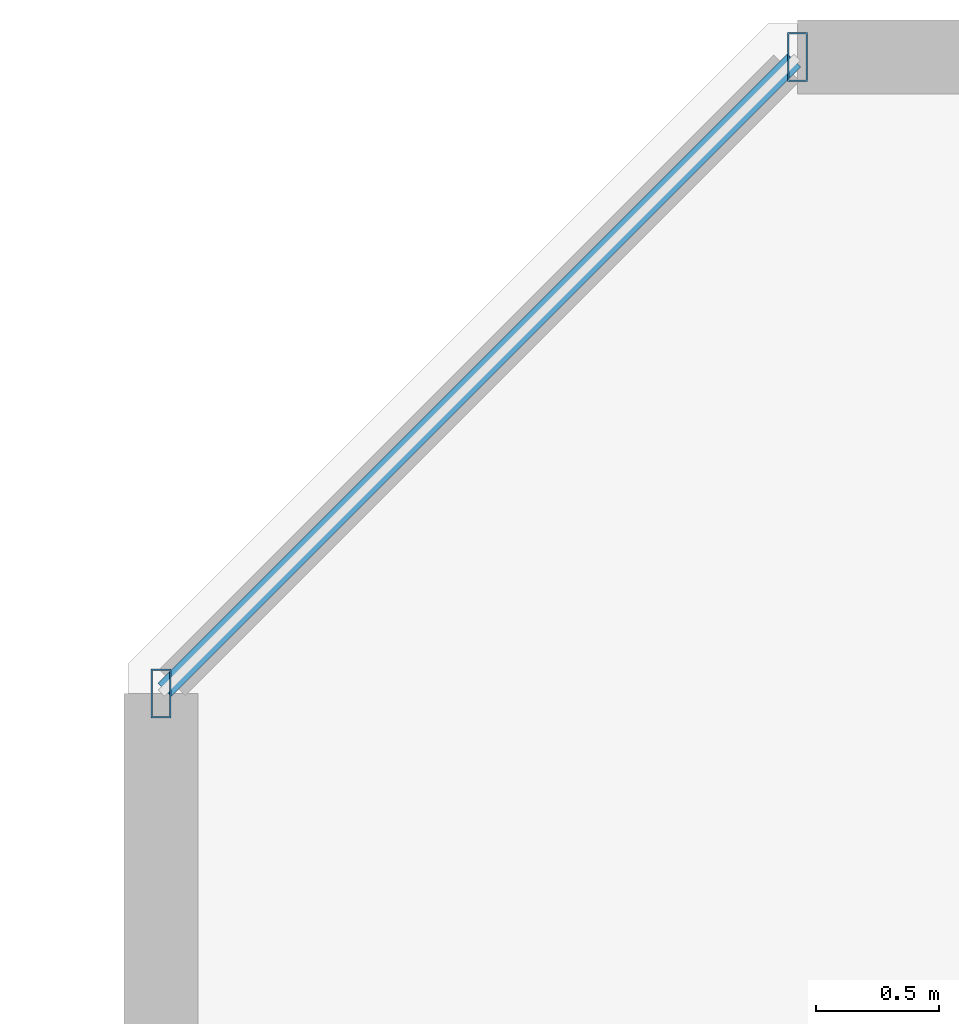
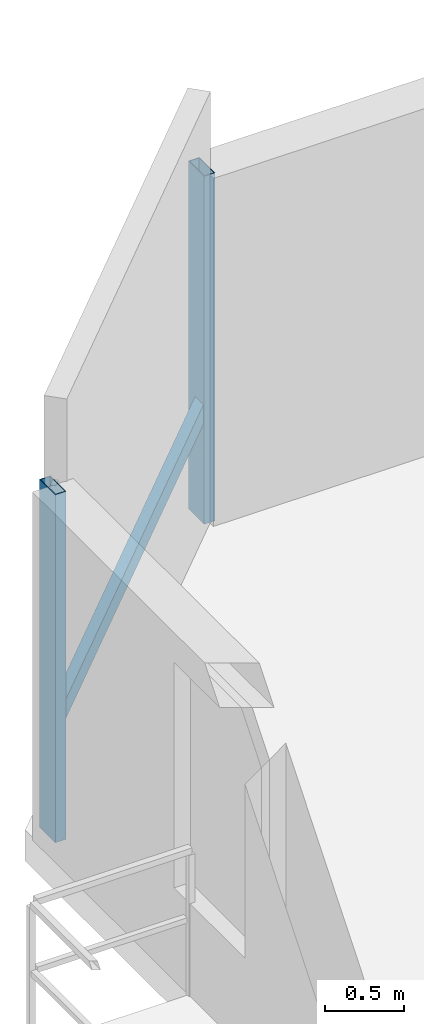
# One storey, part 7 of 33: 3 members, 1 element without a shape of its own.
"""IFC4 building model written with IfcOpenShell, lengths in metres."""

from ifc_helpers import new_model, si_unit, direction, frame, origin, origin_2d, place, context, subcontext, project, spatial, hollow_rectangle, extrude, material, material_profile, profile_set, type_object, element, aggregate, save


model = new_model("IFC4")

# Units and contexts
model_context = context("Model", 3, precision=1e-05, world=origin(), true_north=direction((0.0, 1.0)))
body_context = subcontext(model_context, "Body", "Model", "MODEL_VIEW")
ifc_project = project(units=[si_unit("LENGTHUNIT", "METRE"), si_unit("AREAUNIT", "SQUARE_METRE"), si_unit("VOLUMEUNIT", "CUBIC_METRE"), si_unit("PLANEANGLEUNIT", "RADIAN"), si_unit("MASSUNIT", "GRAM", prefix="KILO")], contexts=[model_context])

# Site, building, storey
site_placement = place(None, origin())
site = spatial("IfcSite", under=ifc_project, at=site_placement, CompositionType="ELEMENT")
building_placement = place(site_placement, origin())
building = spatial("IfcBuilding", under=site, at=building_placement, Name="Thornwick Lancets Civic Towers", CompositionType="ELEMENT")
storey_placement = place(building_placement, frame((0.0, 0.0, 130.5)))
storey = spatial("IfcBuildingStorey", under=building, at=storey_placement, Name="L34", CompositionType="ELEMENT", Elevation=130.5)

# Curtain wall, members
ifc_material_1 = material(Name="Mid-zone chamfered-corner unitised glass curtain wall", Category="glass")
curtain_wall_type = type_object("IfcCurtainWallType", Name="CW_SYS_04", PredefinedType="NOTDEFINED", material=ifc_material_1)
curtain_wall_placement = place(storey_placement, origin())
curtain_wall = element("IfcCurtainWall", 1, at=curtain_wall_placement, inside=storey, type_object=curtain_wall_type, Name="L34 Curtain Wall CW-L34-A-E5", PredefinedType="NOTDEFINED")
ifc_material_2 = material(Name="Thermally broken bronze aluminium S355", Category="steel")
ifc_material_profile_1 = material_profile(ifc_material_2, hollow_rectangle(XDim=0.080078125, YDim=0.199951171875, WallThickness=0.006103515625, at=origin_2d()), Name="RHS 200x80x6")
ifc_profile_set_1 = profile_set([ifc_material_profile_1], Name="Thermally broken bronze aluminium S355")
member_type_1 = type_object("IfcMemberType", Name="CW_MUL_200", PredefinedType="MULLION", material=ifc_profile_set_1)
member_1_placement = place(storey_placement, frame((4.318603515625, 44.7646484375, 0.0), z_axis=(0.0, 0.0, 1.0), x_axis=(1.0, 0.0, 0.0)))
member_1 = element("IfcMember", 2, at=member_1_placement, type_object=member_type_1, Name="CW-L34-A-E5 Mullion 0", PredefinedType="MULLION", context=body_context, shape_type="SweptSolid", body=[
    extrude(hollow_rectangle(XDim=0.080078125, YDim=0.199951171875, WallThickness=0.006103515625, at=origin_2d()), origin(), (0.0, 0.0, 1.0), 2.699951171875),
])
member_2_placement = place(storey_placement, frame((1.7353515625, 42.181396484375, 0.0), z_axis=(0.0, 0.0, 1.0), x_axis=(1.0, 0.0, 0.0)))
member_2 = element("IfcMember", 3, at=member_2_placement, type_object=member_type_1, Name="CW-L34-A-E5 Mullion 1", PredefinedType="MULLION", context=body_context, shape_type="SweptSolid", body=[
    extrude(hollow_rectangle(XDim=0.080078125, YDim=0.199951171875, WallThickness=0.006103515625, at=origin_2d()), origin(), (0.0, 0.0, 1.0), 2.699951171875),
])
ifc_material_profile_2 = material_profile(ifc_material_2, hollow_rectangle(XDim=0.074951171875, YDim=0.14990234375, WallThickness=0.0048828125, at=origin_2d()), Name="RHS 150x75x5")
ifc_profile_set_2 = profile_set([ifc_material_profile_2], Name="Thermally broken bronze aluminium S355")
member_type_2 = type_object("IfcMemberType", Name="CW_TRN_150", PredefinedType="USERDEFINED", material=ifc_profile_set_2)
member_3_placement = place(storey_placement, frame((4.304443359375, 44.75048828125, 0.85009765625), z_axis=(-0.707106781187, -0.707106781187, 0.0), x_axis=(0.707106781187, -0.707106781187, 0.0)))
member_3 = element("IfcMember", 4, at=member_3_placement, type_object=member_type_2, Name="CW-L34-A-E5 Transom 0", ObjectType="TRANSOM", PredefinedType="USERDEFINED", context=body_context, shape_type="SweptSolid", body=[
    extrude(hollow_rectangle(XDim=0.074951171875, YDim=0.14990234375, WallThickness=0.0048828125, at=origin_2d()), origin(), (0.0, 0.0, 1.0), 3.61328125),
])
aggregate(curtain_wall, [member_1, member_2, member_3])

save(model, "model.ifc")
